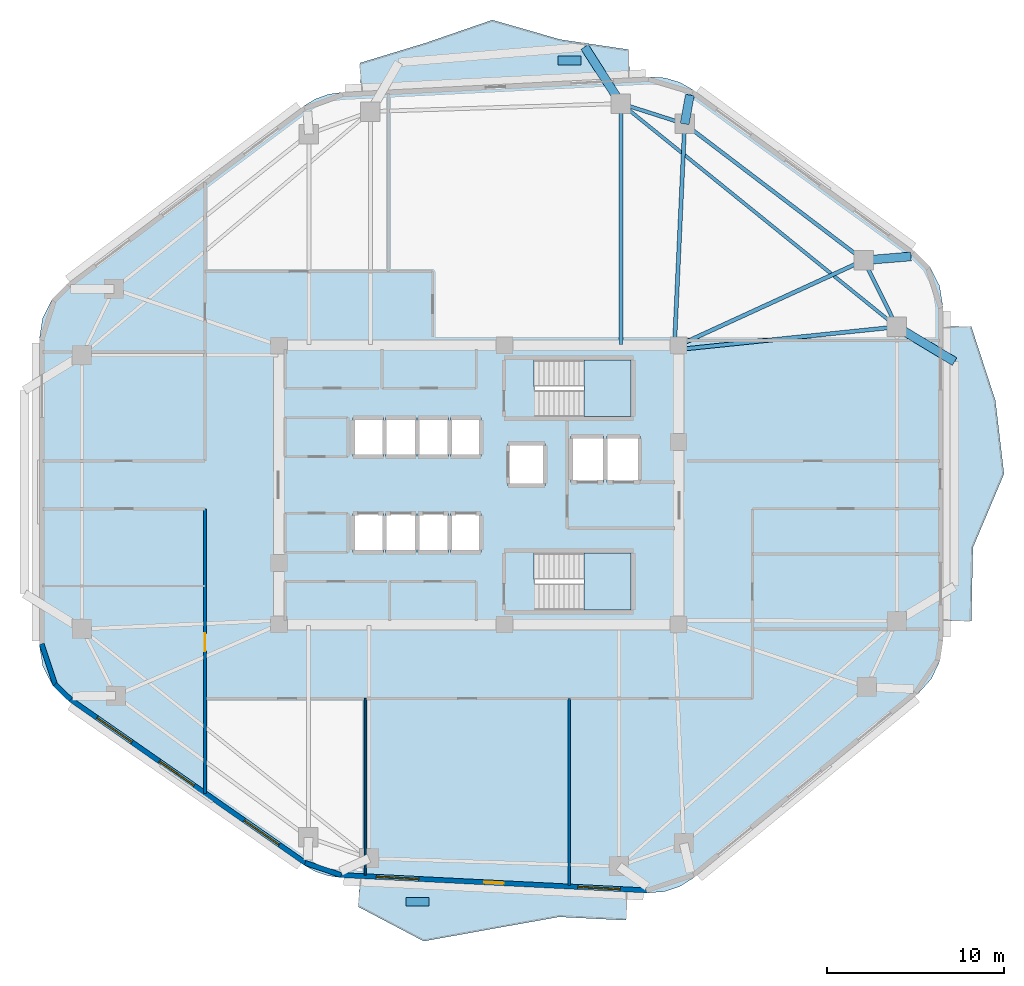
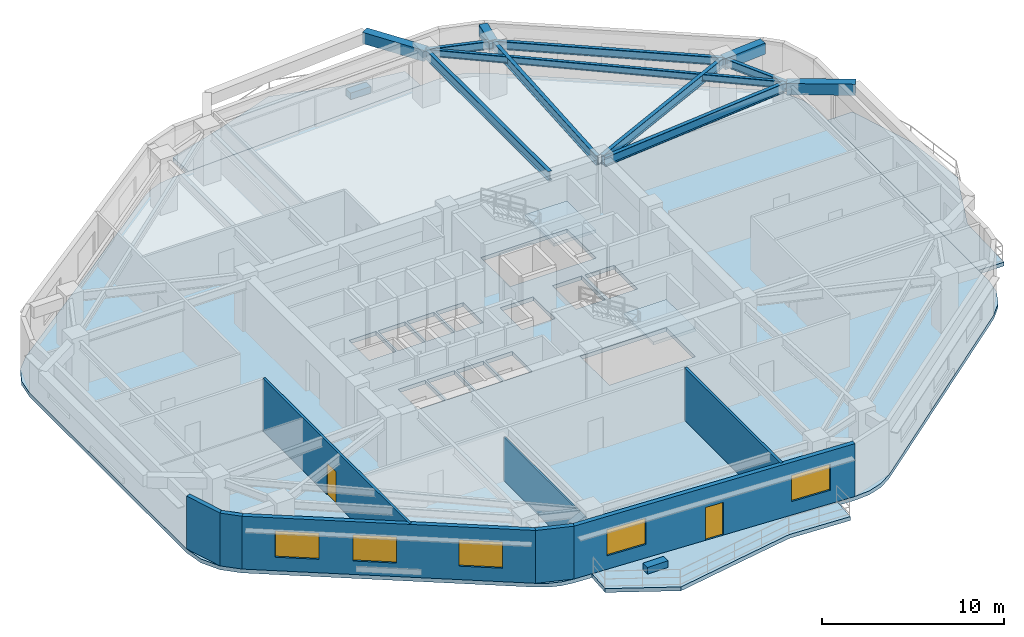
# One storey, part 2 of 8: 12 beams, 8 walls, 6 slabs, 5 windows, 2 doors, 2 plates, 7 openings, 2 elements without a shape of their own.
"""IFC4 building model written with IfcOpenShell, lengths in metres."""

from ifc_helpers import new_model, si_unit, direction, frame, frame_2d, origin, origin_2d, place, context, subcontext, project, spatial, polyline, rectangle, i_section, outline, extrude, material, layer, layer_set, material_profile, profile_set, type_object, element, fill, aggregate, save


model = new_model("IFC4")

# Units and contexts
model_context = context("Model", 3, precision=1e-05, world=origin(), true_north=direction((0.0, 1.0)))
body_context = subcontext(model_context, "Body", "Model", "MODEL_VIEW")
ifc_project = project(units=[si_unit("LENGTHUNIT", "METRE"), si_unit("AREAUNIT", "SQUARE_METRE"), si_unit("VOLUMEUNIT", "CUBIC_METRE"), si_unit("PLANEANGLEUNIT", "RADIAN"), si_unit("MASSUNIT", "GRAM", prefix="KILO")], contexts=[model_context])

# Site, building, storey
site_placement = place(None, origin())
site = spatial("IfcSite", under=ifc_project, at=site_placement, CompositionType="ELEMENT")
building_placement = place(site_placement, origin())
building = spatial("IfcBuilding", under=site, at=building_placement, Name="Zulverin Broadcast Headquarters", CompositionType="ELEMENT")
storey_placement = place(building_placement, frame((0.0, 0.0, 136.39990234375)))
storey = spatial("IfcBuildingStorey", under=building, at=storey_placement, Name="L34", CompositionType="ELEMENT", Elevation=136.39990234375)

# Beams
ifc_material_1 = material(Name="Concrete C40/50", Category="concrete")
ifc_material_profile_1 = material_profile(ifc_material_1, rectangle(XDim=0.5, YDim=0.75, at=origin_2d()), Name="Concrete C40/50", Category="concrete")
ifc_profile_set_1 = profile_set([ifc_material_profile_1], Name="Concrete C40/50")
beam_type_1 = type_object("IfcBeamType", Name="BM-RC-500x750", PredefinedType="BEAM", material=ifc_profile_set_1)
beam_1_placement = place(storey_placement, frame((58.738037109375, 37.877685546875, 3.1650390625), z_axis=(0.996584209885, 0.082582762173, 0.0), x_axis=(-0.082582762173, 0.996584209885, 0.0)))
element("IfcBeam", 1, at=beam_1_placement, inside=storey, type_object=beam_type_1, Name="L35 Plate Overhang Back-Spanned Beam OVR-07", PredefinedType="BEAM", context=body_context, shape_type="SweptSolid", body=[
    extrude(rectangle(XDim=0.5, YDim=0.75, at=origin_2d()), origin(), (0.0, 0.0, 1.0), 2.66357421875),
])
beam_2_placement = place(storey_placement, frame((48.62158203125, 45.574951171875, 3.1650390625), z_axis=(0.176183868408, 0.984357274831, 0.0), x_axis=(-0.984357274831, 0.176183868408, 0.0)))
element("IfcBeam", 2, at=beam_2_placement, inside=storey, type_object=beam_type_1, Name="L35 Plate Overhang Back-Spanned Beam OVR-08", PredefinedType="BEAM", context=body_context, shape_type="SweptSolid", body=[
    extrude(rectangle(XDim=0.5, YDim=0.75, at=origin_2d()), origin(), (0.0, 0.0, 1.0), 1.654541015625),
])
beam_3_placement = place(storey_placement, frame((60.60009765625, 34.12158203125, 3.1650390625), z_axis=(0.856590210266, -0.515997298128, 0.0), x_axis=(0.515997298128, 0.856590210266, 0.0)))
element("IfcBeam", 3, at=beam_3_placement, inside=storey, type_object=beam_type_1, Name="L35 Balcony Column-Framed Cantilever BAL_E-2", PredefinedType="BEAM", context=body_context, shape_type="SweptSolid", body=[
    extrude(rectangle(XDim=0.5, YDim=0.75, at=origin_2d()), origin(), (0.0, 0.0, 1.0), 3.7998046875),
])
beam_4_placement = place(storey_placement, frame((45.027587890625, 46.7236328125, 3.1650390625), z_axis=(-0.539740838151, 0.84183123465, 0.0), x_axis=(-0.84183123465, -0.539740838151, 0.0)))
element("IfcBeam", 4, at=beam_4_placement, inside=storey, type_object=beam_type_1, Name="L35 Balcony Column-Framed Cantilever BAL_N-1", PredefinedType="BEAM", context=body_context, shape_type="SweptSolid", body=[
    extrude(rectangle(XDim=0.5, YDim=0.75, at=origin_2d()), origin(), (0.0, 0.0, 1.0), 3.800048828125),
])
ifc_material_2 = material(Name="Structural steel S355JR", Category="steel")
ifc_material_profile_2 = material_profile(ifc_material_2, i_section(OverallWidth=0.19287109375, OverallDepth=0.46728515625, WebThickness=0.011474609375, FlangeThickness=0.01953125, at=origin_2d()), Name="Structural steel S355JR", Category="steel")
ifc_profile_set_2 = profile_set([ifc_material_profile_2], Name="Structural steel S355JR")
beam_type_2 = type_object("IfcBeamType", Name="BM-UB-457", PredefinedType="JOIST", material=ifc_profile_set_2)
beam_5_placement = place(storey_placement, frame((60.60009765625, 34.12158203125, 3.306396484375), z_axis=(-0.777349017335, 0.629069555175, 0.0), x_axis=(-0.629069555175, -0.777349017335, 0.0)))
element("IfcBeam", 5, at=beam_5_placement, inside=storey, type_object=beam_type_2, Name="L34 Chordal Floor Joist J-02", PredefinedType="JOIST", context=body_context, shape_type="SweptSolid", body=[
    extrude(i_section(OverallWidth=0.19287109375, OverallDepth=0.46728515625, WebThickness=0.011474609375, FlangeThickness=0.01953125, at=origin_2d()), origin(), (0.0, 0.0, 1.0), 20.032958984375),
])
ifc_material_profile_3 = material_profile(ifc_material_2, i_section(OverallWidth=0.2119140625, OverallDepth=0.54443359375, WebThickness=0.0126953125, FlangeThickness=0.021240234375, at=origin_2d()), Name="Structural steel S355JR", Category="steel")
ifc_profile_set_3 = profile_set([ifc_material_profile_3], Name="Structural steel S355JR")
beam_type_3 = type_object("IfcBeamType", Name="BM-UB-533", PredefinedType="SPANDREL", material=ifc_profile_set_3)
beam_6_placement = place(storey_placement, frame((60.60009765625, 34.12158203125, 3.267822265625), z_axis=(-0.444159471033, 0.895947746407, 0.0), x_axis=(-0.895947746407, -0.444159471033, 0.0)))
element("IfcBeam", 6, at=beam_6_placement, inside=storey, type_object=beam_type_3, Name="L34 Perimeter Spandrel Beam SP-06", PredefinedType="SPANDREL", context=body_context, shape_type="SweptSolid", body=[
    extrude(i_section(OverallWidth=0.2119140625, OverallDepth=0.54443359375, WebThickness=0.0126953125, FlangeThickness=0.021240234375, at=origin_2d()), origin(), (0.0, 0.0, 1.0), 4.1923828125),
])
beam_7_placement = place(storey_placement, frame((58.738037109375, 37.877685546875, 3.267822265625), z_axis=(-0.795830102505, 0.60551998146, 0.0), x_axis=(-0.60551998146, -0.795830102505, 0.0)))
element("IfcBeam", 7, at=beam_7_placement, inside=storey, type_object=beam_type_3, Name="L34 Perimeter Spandrel Beam SP-07", PredefinedType="SPANDREL", context=body_context, shape_type="SweptSolid", body=[
    extrude(i_section(OverallWidth=0.2119140625, OverallDepth=0.54443359375, WebThickness=0.0126953125, FlangeThickness=0.021240234375, at=origin_2d()), origin(), (0.0, 0.0, 1.0), 12.7119140625),
])
beam_8_placement = place(storey_placement, frame((48.62158203125, 45.574951171875, 3.267822265625), z_axis=(-0.952531523781, 0.304439971428, 0.0), x_axis=(-0.304439971428, -0.952531523781, 0.0)))
element("IfcBeam", 8, at=beam_8_placement, inside=storey, type_object=beam_type_3, Name="L34 Perimeter Spandrel Beam SP-08", PredefinedType="SPANDREL", context=body_context, shape_type="SweptSolid", body=[
    extrude(i_section(OverallWidth=0.2119140625, OverallDepth=0.54443359375, WebThickness=0.0126953125, FlangeThickness=0.021240234375, at=origin_2d()), origin(), (0.0, 0.0, 1.0), 3.773193359375),
])
ifc_material_profile_4 = material_profile(ifc_material_2, i_section(OverallWidth=0.230224609375, OverallDepth=0.6171875, WebThickness=0.01318359375, FlangeThickness=0.022216796875, at=origin_2d()), Name="Structural steel S355JR", Category="steel")
ifc_profile_set_4 = profile_set([ifc_material_profile_4], Name="Structural steel S355JR")
beam_type_4 = type_object("IfcBeamType", Name="BM-UB-610", PredefinedType="BEAM", material=ifc_profile_set_4)
beam_9_placement = place(storey_placement, frame((48.324951171875, 32.85009765625, 3.2314453125), z_axis=(0.994678169641, 0.103030766473, 0.0), x_axis=(-0.103030766473, 0.994678169641, 0.0)))
element("IfcBeam", 9, at=beam_9_placement, inside=storey, type_object=beam_type_4, Name="L34 Radial Primary Floor Beam RB-06", PredefinedType="BEAM", context=body_context, shape_type="SweptSolid", body=[
    extrude(i_section(OverallWidth=0.230224609375, OverallDepth=0.6171875, WebThickness=0.01318359375, FlangeThickness=0.022216796875, at=origin_2d()), origin(), (0.0, 0.0, 1.0), 12.3408203125),
])
beam_10_placement = place(storey_placement, frame((48.27490234375, 33.074951171875, 3.2314453125), z_axis=(0.90883007293, 0.417166511764, 0.0), x_axis=(-0.417166511764, 0.90883007293, 0.0)))
element("IfcBeam", 10, at=beam_10_placement, inside=storey, type_object=beam_type_4, Name="L34 Radial Primary Floor Beam RB-07", PredefinedType="BEAM", context=body_context, shape_type="SweptSolid", body=[
    extrude(i_section(OverallWidth=0.230224609375, OverallDepth=0.6171875, WebThickness=0.01318359375, FlangeThickness=0.022216796875, at=origin_2d()), origin(), (0.0, 0.0, 1.0), 11.5126953125),
])
beam_11_placement = place(storey_placement, frame((48.050048828125, 33.125, 3.2314453125), z_axis=(0.045858166026, 0.998947960911, 0.0), x_axis=(-0.998947960911, 0.045858166026, 0.0)))
element("IfcBeam", 11, at=beam_11_placement, inside=storey, type_object=beam_type_4, Name="L34 Radial Primary Floor Beam RB-08", PredefinedType="BEAM", context=body_context, shape_type="SweptSolid", body=[
    extrude(i_section(OverallWidth=0.230224609375, OverallDepth=0.6171875, WebThickness=0.01318359375, FlangeThickness=0.022216796875, at=origin_2d()), origin(), (0.0, 0.0, 1.0), 12.463134765625),
])
beam_12_placement = place(storey_placement, frame((45.027587890625, 33.125, 3.2314453125), z_axis=(0.0, 1.0, 0.0), x_axis=(-1.0, 0.0, 0.0)))
element("IfcBeam", 12, at=beam_12_placement, inside=storey, type_object=beam_type_4, Name="L34 Radial Primary Floor Beam RB-09", PredefinedType="BEAM", context=body_context, shape_type="SweptSolid", body=[
    extrude(i_section(OverallWidth=0.230224609375, OverallDepth=0.6171875, WebThickness=0.01318359375, FlangeThickness=0.022216796875, at=origin_2d()), origin(), (0.0, 0.0, 1.0), 13.5986328125),
])

# Plates
ifc_material_3 = material(Name="Precast concrete C45/55", Category="concrete")
ifc_layer_1 = layer(ifc_material_3, 0.449951171875, Name="Precast concrete C45/55", Category="concrete")
ifc_layer_set_1 = layer_set([ifc_layer_1], Name="Precast concrete C45/55")
plate_type = type_object("IfcPlateType", Name="PT-01_PRECAST_GFRC_TREE_PLANTER", PredefinedType="USERDEFINED", material=ifc_layer_set_1)
for number, where, z_axis, x_axis, name in (
    (13, (33.553955078125, 1.673583984375, -0.0048828125), (0.0, 0.0, 1.0), (1.0, 0.0, 0.0), "L34 Precast GFRC Tree Planter BAL_S"),
    (14, (42.133056640625, 49.156982421875, -0.0048828125), (0.0, 0.0, 1.0), (1.0, 0.0, 0.0), "L34 Precast GFRC Tree Planter BAL_N"),
):
    element("IfcPlate", number, at=place(storey_placement, frame(where, z_axis=z_axis, x_axis=x_axis)), inside=storey, type_object=plate_type, Name=name, ObjectType="PLANTER", PredefinedType="USERDEFINED", context=body_context, shape_type="SweptSolid", body=[
        extrude(rectangle(XDim=1.300048828125, YDim=0.5, at=origin_2d()), origin(), (0.0, 0.0, 1.0), 0.449951171875),
    ])

# Slabs
ifc_layer_2 = layer(ifc_material_1, 0.260009765625, Name="Concrete C40/50", Category="concrete")
ifc_layer_set_2 = layer_set([ifc_layer_2], Name="Concrete C40/50")
slab_type_1 = type_object("IfcSlabType", Name="SLB-BAL-260", PredefinedType="FLOOR", material=ifc_layer_set_2)
slab_1_placement = place(storey_placement, frame((0.0, 0.0, -0.260009765625)))
element("IfcSlab", 15, at=slab_1_placement, inside=storey, type_object=slab_type_1, Name="L34 Cantilevered Planted Balcony Slab BAL_E", PredefinedType="FLOOR", context=body_context, shape_type="SweptSolid", body=[
    extrude(outline(polyline([(63.199951171875, 34.1298828125), (63.199951171875, 17.518310546875), (64.800048828125, 17.518310546875), (64.888916015625, 21.671142578125), (66.64404296875, 25.82421875), (66.154296875, 29.97705078125), (64.800048828125, 34.1298828125), (63.199951171875, 34.1298828125)])), origin(), (0.0, 0.0, 1.0), 0.260009765625),
])
slab_2_placement = place(storey_placement, frame((0.0, 0.0, -0.260009765625)))
element("IfcSlab", 16, at=slab_2_placement, inside=storey, type_object=slab_type_1, Name="L34 Cantilevered Planted Balcony Slab BAL_S", PredefinedType="FLOOR", context=body_context, shape_type="SweptSolid", body=[
    extrude(outline(polyline([(45.400390625, 2.230712890625), (30.28662109375, 2.989013671875), (30.206298828125, 1.390869140625), (33.89697265625, -0.55029296875), (37.719482421875, 0.14111328125), (41.541748046875, 0.822265625), (45.320068359375, 0.632568359375), (45.400390625, 2.230712890625)])), origin(), (0.0, 0.0, 1.0), 0.260009765625),
])
slab_3_placement = place(storey_placement, frame((0.0, 0.0, -0.260009765625)))
element("IfcSlab", 17, at=slab_3_placement, inside=storey, type_object=slab_type_1, Name="L34 Cantilevered Planted Balcony Slab BAL_N", PredefinedType="FLOOR", context=body_context, shape_type="SweptSolid", body=[
    extrude(outline(polyline([(30.364013671875, 47.4150390625), (45.526611328125, 48.17578125), (45.4462890625, 49.773681640625), (41.617919921875, 50.33642578125), (37.76220703125, 51.44091796875), (34.02685546875, 50.152099609375), (30.28369140625, 49.012939453125), (30.364013671875, 47.4150390625)])), origin(), (0.0, 0.0, 1.0), 0.260009765625),
])

# Stair, slab
stair_type = type_object("IfcStairType", Name="ST-CORE-1500", PredefinedType="HALF_TURN_STAIR", material=ifc_material_1)
stair_1_placement = place(storey_placement, origin())
stair_1 = element("IfcStair", 18, at=stair_1_placement, inside=storey, type_object=stair_type, Name="L34 Core Exit Stair ST-1", PredefinedType="HALF_TURN_STAIR")
ifc_layer_3 = layer(ifc_material_1, 0.199951171875, Name="Concrete C40/50", Category="concrete")
ifc_layer_set_3 = layer_set([ifc_layer_3], Name="Concrete C40/50")
slab_type_2 = type_object("IfcSlabType", Name="SLB-ST-LND200", PredefinedType="LANDING", material=ifc_layer_set_3)
slab_4_placement = place(storey_placement, frame((0.0, 0.0, 1.7001953125)))
slab_4 = element("IfcSlab", 19, at=slab_4_placement, type_object=slab_type_2, Name="ST-1 landing 1", PredefinedType="LANDING", context=body_context, shape_type="SweptSolid", body=[
    extrude(outline(polyline([(42.929931640625, 29.050048828125), (45.60009765625, 29.050048828125), (45.60009765625, 32.25), (42.929931640625, 32.25), (42.929931640625, 29.050048828125)])), origin(), (0.0, 0.0, 1.0), 0.199951171875),
])
aggregate(stair_1, [slab_4])

stair_2_placement = place(storey_placement, origin())
stair_2 = element("IfcStair", 20, at=stair_2_placement, inside=storey, type_object=stair_type, Name="L34 Core Exit Stair ST-2", PredefinedType="HALF_TURN_STAIR")
slab_5_placement = place(storey_placement, frame((0.0, 0.0, 1.7001953125)))
slab_5 = element("IfcSlab", 21, at=slab_5_placement, type_object=slab_type_2, Name="ST-2 landing 1", PredefinedType="LANDING", context=body_context, shape_type="SweptSolid", body=[
    extrude(outline(polyline([(42.929931640625, 18.14990234375), (45.60009765625, 18.14990234375), (45.60009765625, 21.35009765625), (42.929931640625, 21.35009765625), (42.929931640625, 18.14990234375)])), origin(), (0.0, 0.0, 1.0), 0.199951171875),
])
aggregate(stair_2, [slab_5])

# Slab
ifc_layer_4 = layer(ifc_material_1, 0.260009765625, Name="Concrete C40/50", Category="concrete")
ifc_layer_set_4 = layer_set([ifc_layer_4], Name="Concrete C40/50")
slab_type_3 = type_object("IfcSlabType", Name="SLB-TWR-260", PredefinedType="FLOOR", material=ifc_layer_set_4)
slab_6_placement = place(storey_placement, frame((0.0, 0.0, -0.260009765625)))
element("IfcSlab", 22, at=slab_6_placement, inside=storey, type_object=slab_type_3, Name="L34 Main Structural Floor Slab", PredefinedType="FLOOR", context=body_context, shape_type="SweptSolid", body=[
    extrude(outline(polyline([(27.155029296875, 3.73828125), (27.785400390625, 3.381591796875), (28.470947265625, 3.147216796875), (29.18798828125, 3.0439453125), (46.498779296875, 2.175537109375), (47.45263671875, 2.2451171875), (48.36083984375, 2.544677734375), (49.168701171875, 3.05615234375), (61.7744140625, 13.40380859375), (62.54296875, 14.251708984375), (63.031982421875, 15.286376953125), (63.199951171875, 16.418212890625), (63.199951171875, 35.22998046875), (63.010009765625, 36.4326171875), (62.458251953125, 37.517822265625), (61.598876953125, 38.38037109375), (49.119384765625, 47.486083984375), (48.351806640625, 47.922607421875), (47.506103515625, 48.175048828125), (46.625, 48.230712890625), (29.265380859375, 47.35986328125), (28.502197265625, 47.2451171875), (27.776611328125, 46.982421875), (27.116943359375, 46.581787109375), (13.756103515625, 36.5361328125), (12.919921875, 35.6767578125), (12.384521484375, 34.603759765625), (12.199951171875, 33.4189453125), (12.199951171875, 16.18701171875), (12.399169921875, 14.956787109375), (12.975830078125, 13.852294921875), (13.87158203125, 12.986083984375), (27.155029296875, 3.73828125)]), holes=[polyline([(40.155029296875, 30.75), (40.130126953125, 30.75), (40.130126953125, 32.25), (45.60009765625, 32.25), (45.60009765625, 29.050048828125), (40.155029296875, 29.050048828125), (40.155029296875, 30.75)]), polyline([(40.155029296875, 19.85009765625), (40.130126953125, 19.85009765625), (40.130126953125, 21.35009765625), (45.60009765625, 21.35009765625), (45.60009765625, 18.14990234375), (40.155029296875, 18.14990234375), (40.155029296875, 19.85009765625)]), polyline([(29.89990234375, 21.39990234375), (31.6201171875, 21.39990234375), (31.6201171875, 23.60009765625), (29.89990234375, 23.60009765625), (29.89990234375, 21.39990234375)]), polyline([(31.739990234375, 21.39990234375), (33.4599609375, 21.39990234375), (33.4599609375, 23.60009765625), (31.739990234375, 23.60009765625), (31.739990234375, 21.39990234375)]), polyline([(33.580078125, 21.39990234375), (35.300048828125, 21.39990234375), (35.300048828125, 23.60009765625), (33.580078125, 23.60009765625), (33.580078125, 21.39990234375)]), polyline([(35.419921875, 21.39990234375), (37.139892578125, 21.39990234375), (37.139892578125, 23.60009765625), (35.419921875, 23.60009765625), (35.419921875, 21.39990234375)]), polyline([(29.89990234375, 26.800048828125), (31.6201171875, 26.800048828125), (31.6201171875, 29.0), (29.89990234375, 29.0), (29.89990234375, 26.800048828125)]), polyline([(31.739990234375, 26.800048828125), (33.4599609375, 26.800048828125), (33.4599609375, 29.0), (31.739990234375, 29.0), (31.739990234375, 26.800048828125)]), polyline([(33.580078125, 26.800048828125), (35.300048828125, 26.800048828125), (35.300048828125, 29.0), (33.580078125, 29.0), (33.580078125, 26.800048828125)]), polyline([(35.419921875, 26.800048828125), (37.139892578125, 26.800048828125), (37.139892578125, 29.0), (35.419921875, 29.0), (35.419921875, 26.800048828125)]), polyline([(42.199951171875, 25.35009765625), (44.050048828125, 25.35009765625), (44.050048828125, 27.949951171875), (42.199951171875, 27.949951171875), (42.199951171875, 25.35009765625)]), polyline([(44.25, 25.35009765625), (46.10009765625, 25.35009765625), (46.10009765625, 27.949951171875), (44.25, 27.949951171875), (44.25, 25.35009765625)]), polyline([(38.64990234375, 25.14990234375), (40.75, 25.14990234375), (40.75, 27.550048828125), (38.64990234375, 27.550048828125), (38.64990234375, 25.14990234375)])]), origin(), (0.0, 0.0, 1.0), 0.260009765625),
])

# Wall, openings, door, windows
ifc_material_4 = material(Name="Insulated pale-metal clad concrete spandrel C40/50", Category="concrete")
ifc_layer_5 = layer(ifc_material_4, 0.280029296875, Name="Insulated pale-metal clad concrete spandrel C40/50", Category="concrete")
ifc_layer_set_5 = layer_set([ifc_layer_5], Name="Insulated pale-metal clad concrete spandrel C40/50")
wall_type_1 = type_object("IfcWallType", Name="WL-EXT-280", PredefinedType="STANDARD", material=ifc_layer_set_5)
wall_1_placement = place(storey_placement, frame((29.19482421875, 3.183837890625, 0.0), z_axis=(0.0, 0.0, 1.0), x_axis=(0.998743400978, -0.05011605535, 0.0)))
wall_1 = element("IfcWall", 23, at=wall_1_placement, inside=storey, type_object=wall_type_1, Name="L34 Pale-Metal Clad Spandrel Wall 1", PredefinedType="STANDARD", context=body_context, shape_type="SweptSolid", body=[
    extrude(rectangle(XDim=17.332763671875, YDim=0.280029296875, at=frame_2d((8.66650390625, 0.0))), origin(), (0.0, 0.0, 1.0), 3.5400390625),
])
opening_1_placement = place(wall_1_placement, frame((8.116455078125, 0.0, 0.0)))
opening_1 = element("IfcOpeningElement", 24, at=opening_1_placement, cuts=wall_1, Name="Opening D-L34-TR1", PredefinedType="OPENING", context=body_context, shape_type="SweptSolid", body=[
    extrude(rectangle(XDim=1.10009765625, YDim=2.199951171875, at=frame_2d((0.550048828125, 1.10009765625))), frame((0.0, 0.14990234375, 0.0), z_axis=(0.0, -1.0, 0.0), x_axis=(1.0, 0.0, 0.0)), (0.0, 0.0, 1.0), 0.300048828125),
])
opening_2_placement = place(wall_1_placement, frame((2.022216796875, 0.0, 0.89990234375)))
opening_2 = element("IfcOpeningElement", 25, at=opening_2_placement, cuts=wall_1, Name="Opening W-L34-E11", PredefinedType="OPENING", context=body_context, shape_type="SweptSolid", body=[
    extrude(rectangle(XDim=2.39990234375, YDim=1.75, at=frame_2d((1.199951171875, 0.875))), frame((0.0, 0.14990234375, 0.0), z_axis=(0.0, -1.0, 0.0), x_axis=(1.0, 0.0, 0.0)), (0.0, 0.0, 1.0), 0.300048828125),
])
opening_3_placement = place(wall_1_placement, frame((13.41064453125, 0.0, 0.89990234375)))
opening_3 = element("IfcOpeningElement", 26, at=opening_3_placement, cuts=wall_1, Name="Opening W-L34-E12", PredefinedType="OPENING", context=body_context, shape_type="SweptSolid", body=[
    extrude(rectangle(XDim=2.39990234375, YDim=1.75, at=frame_2d((1.199951171875, 0.875))), frame((0.0, 0.14990234375, 0.0), z_axis=(0.0, -1.0, 0.0), x_axis=(1.0, 0.0, 0.0)), (0.0, 0.0, 1.0), 0.300048828125),
])
ifc_material_5 = material(Name="Thermally broken aluminium glazed", Category="aluminium")
door_type_1 = type_object("IfcDoorType", Name="DR-TERR-1100", OperationType="SINGLE_SWING_RIGHT", PredefinedType="DOOR", material=ifc_material_5)
door_1_placement = place(opening_1_placement, origin())
door_1 = element("IfcDoor", 27, at=door_1_placement, inside=storey, type_object=door_type_1, Name="L34 Planted Terrace Glazed Access Door 1", OperationType="SINGLE_SWING_RIGHT", OverallHeight=2.199951171875, OverallWidth=1.10009765625, PredefinedType="DOOR", context=body_context, shape_type="SweptSolid", body=[
    extrude(rectangle(XDim=1.10009765625, YDim=2.199951171875, at=frame_2d((0.550048828125, 1.10009765625))), frame((0.0, 0.02490234375, 0.0), z_axis=(0.0, -1.0, 0.0), x_axis=(1.0, 0.0, 0.0)), (0.0, 0.0, 1.0), 0.050048828125),
])
fill(opening_1, door_1)
ifc_material_6 = material(Name="Pale anodized aluminium frame with solar-control low-E double glazing", Category="aluminium")
window_type = type_object("IfcWindowType", Name="WIN-RIB-2400", PartitioningType="SINGLE_PANEL", PredefinedType="WINDOW", material=ifc_material_6)
window_1_placement = place(opening_2_placement, origin())
window_1 = element("IfcWindow", 28, at=window_1_placement, inside=storey, type_object=window_type, Name="L34 Ribbon Glazing Window 1 1", OverallHeight=1.75, OverallWidth=2.39990234375, PartitioningType="SINGLE_PANEL", PredefinedType="WINDOW", context=body_context, shape_type="SweptSolid", body=[
    extrude(rectangle(XDim=2.39990234375, YDim=1.75, at=frame_2d((1.199951171875, 0.875))), frame((0.0, 0.030029296875, 0.0), z_axis=(0.0, -1.0, 0.0), x_axis=(1.0, 0.0, 0.0)), (0.0, 0.0, 1.0), 0.06005859375),
])
fill(opening_2, window_1)
window_2_placement = place(opening_3_placement, origin())
window_2 = element("IfcWindow", 29, at=window_2_placement, inside=storey, type_object=window_type, Name="L34 Ribbon Glazing Window 1 2", OverallHeight=1.75, OverallWidth=2.39990234375, PartitioningType="SINGLE_PANEL", PredefinedType="WINDOW", context=body_context, shape_type="SweptSolid", body=[
    extrude(rectangle(XDim=2.39990234375, YDim=1.75, at=frame_2d((1.199951171875, 0.875))), frame((0.0, 0.030029296875, 0.0), z_axis=(0.0, -1.0, 0.0), x_axis=(1.0, 0.0, 0.0)), (0.0, 0.0, 1.0), 0.06005859375),
])
fill(opening_3, window_2)

# Wall, openings, windows
wall_2_placement = place(storey_placement, frame((13.95166015625, 13.10107421875, 0.0), z_axis=(0.0, 0.0, 1.0), x_axis=(0.820698239491, -0.571361881558, 0.0)))
wall_2 = element("IfcWall", 30, at=wall_2_placement, inside=storey, type_object=wall_type_1, Name="L34 Pale-Metal Clad Spandrel Wall 8", PredefinedType="STANDARD", context=body_context, shape_type="SweptSolid", body=[
    extrude(rectangle(XDim=16.185546875, YDim=0.280029296875, at=frame_2d((8.0927734375, 0.0))), origin(), (0.0, 0.0, 1.0), 3.5400390625),
])
opening_4_placement = place(wall_2_placement, frame((1.830810546875, 0.0, 0.89990234375)))
opening_4 = element("IfcOpeningElement", 31, at=opening_4_placement, cuts=wall_2, Name="Opening W-L34-E81", PredefinedType="OPENING", context=body_context, shape_type="SweptSolid", body=[
    extrude(rectangle(XDim=2.39990234375, YDim=1.75, at=frame_2d((1.199951171875, 0.875))), frame((0.0, 0.14990234375, 0.0), z_axis=(0.0, -1.0, 0.0), x_axis=(1.0, 0.0, 0.0)), (0.0, 0.0, 1.0), 0.300048828125),
])
opening_5_placement = place(wall_2_placement, frame((6.11279296875, 0.0, 0.89990234375)))
opening_5 = element("IfcOpeningElement", 32, at=opening_5_placement, cuts=wall_2, Name="Opening W-L34-E82", PredefinedType="OPENING", context=body_context, shape_type="SweptSolid", body=[
    extrude(rectangle(XDim=2.39990234375, YDim=1.75, at=frame_2d((1.199951171875, 0.875))), frame((0.0, 0.14990234375, 0.0), z_axis=(0.0, -1.0, 0.0), x_axis=(1.0, 0.0, 0.0)), (0.0, 0.0, 1.0), 0.300048828125),
])
opening_6_placement = place(wall_2_placement, frame((11.95458984375, 0.0, 0.89990234375)))
opening_6 = element("IfcOpeningElement", 33, at=opening_6_placement, cuts=wall_2, Name="Opening W-L34-E83", PredefinedType="OPENING", context=body_context, shape_type="SweptSolid", body=[
    extrude(rectangle(XDim=2.39990234375, YDim=1.75, at=frame_2d((1.199951171875, 0.875))), frame((0.0, 0.14990234375, 0.0), z_axis=(0.0, -1.0, 0.0), x_axis=(1.0, 0.0, 0.0)), (0.0, 0.0, 1.0), 0.300048828125),
])
window_3_placement = place(opening_4_placement, origin())
window_3 = element("IfcWindow", 34, at=window_3_placement, inside=storey, type_object=window_type, Name="L34 Ribbon Glazing Window 8 1", OverallHeight=1.75, OverallWidth=2.39990234375, PartitioningType="SINGLE_PANEL", PredefinedType="WINDOW", context=body_context, shape_type="SweptSolid", body=[
    extrude(rectangle(XDim=2.39990234375, YDim=1.75, at=frame_2d((1.199951171875, 0.875))), frame((0.0, 0.030029296875, 0.0), z_axis=(0.0, -1.0, 0.0), x_axis=(1.0, 0.0, 0.0)), (0.0, 0.0, 1.0), 0.06005859375),
])
fill(opening_4, window_3)
window_4_placement = place(opening_5_placement, origin())
window_4 = element("IfcWindow", 35, at=window_4_placement, inside=storey, type_object=window_type, Name="L34 Ribbon Glazing Window 8 2", OverallHeight=1.75, OverallWidth=2.39990234375, PartitioningType="SINGLE_PANEL", PredefinedType="WINDOW", context=body_context, shape_type="SweptSolid", body=[
    extrude(rectangle(XDim=2.39990234375, YDim=1.75, at=frame_2d((1.199951171875, 0.875))), frame((0.0, 0.030029296875, 0.0), z_axis=(0.0, -1.0, 0.0), x_axis=(1.0, 0.0, 0.0)), (0.0, 0.0, 1.0), 0.06005859375),
])
fill(opening_5, window_4)
window_5_placement = place(opening_6_placement, origin())
window_5 = element("IfcWindow", 36, at=window_5_placement, inside=storey, type_object=window_type, Name="L34 Ribbon Glazing Window 8 3", OverallHeight=1.75, OverallWidth=2.39990234375, PartitioningType="SINGLE_PANEL", PredefinedType="WINDOW", context=body_context, shape_type="SweptSolid", body=[
    extrude(rectangle(XDim=2.39990234375, YDim=1.75, at=frame_2d((1.199951171875, 0.875))), frame((0.0, 0.030029296875, 0.0), z_axis=(0.0, -1.0, 0.0), x_axis=(1.0, 0.0, 0.0)), (0.0, 0.0, 1.0), 0.06005859375),
])
fill(opening_6, window_5)

# Walls
wall_3_placement = place(storey_placement, frame((12.3330078125, 16.231201171875, 0.0), z_axis=(0.0, 0.0, 1.0), x_axis=(0.315364302967, -0.94897068259, 0.0)))
element("IfcWall", 37, at=wall_3_placement, inside=storey, type_object=wall_type_1, Name="L34 Wind-Shaped Corner Spandrel Wall 7-1", PredefinedType="STANDARD", context=body_context, shape_type="SweptSolid", body=[
    extrude(rectangle(XDim=2.460205078125, YDim=0.280029296875, at=frame_2d((1.22998046875, 0.0))), origin(), (0.0, 0.0, 1.0), 3.5400390625),
])
wall_4_placement = place(storey_placement, frame((13.0732421875, 13.952880859375, 0.0), z_axis=(0.0, 0.0, 1.0), x_axis=(0.718958999036, -0.695052485576, 0.0)))
element("IfcWall", 38, at=wall_4_placement, inside=storey, type_object=wall_type_1, Name="L34 Wind-Shaped Corner Spandrel Wall 7-2", PredefinedType="STANDARD", context=body_context, shape_type="SweptSolid", body=[
    extrude(rectangle(XDim=1.245849609375, YDim=0.280029296875, at=frame_2d((0.623046875, 0.0))), origin(), (0.0, 0.0, 1.0), 3.5400390625),
])
wall_5_placement = place(storey_placement, frame((27.2001953125, 3.870849609375, 0.0), z_axis=(0.0, 0.0, 1.0), x_axis=(0.946327814955, -0.323208395068, 0.0)))
element("IfcWall", 39, at=wall_5_placement, inside=storey, type_object=wall_type_1, Name="L34 Wind-Shaped Corner Spandrel Wall 8-1", PredefinedType="STANDARD", context=body_context, shape_type="SweptSolid", body=[
    extrude(rectangle(XDim=2.148193359375, YDim=0.280029296875, at=frame_2d((1.07421875, 0.0))), origin(), (0.0, 0.0, 1.0), 3.5400390625),
])
ifc_material_7 = material(Name="Fire-rated acoustic laminated glass screen", Category="glass")
ifc_layer_6 = layer(ifc_material_7, 0.10009765625, Name="Fire-rated acoustic laminated glass screen", Category="glass")
ifc_layer_set_6 = layer_set([ifc_layer_6], Name="Fire-rated acoustic laminated glass screen")
wall_type_2 = type_object("IfcWallType", Name="WL-GLAZ-100", PredefinedType="PARTITIONING", material=ifc_layer_set_6)
wall_6_placement = place(storey_placement, frame((30.60009765625, 3.17822265625, 0.0), z_axis=(0.0, 0.0, 1.0), x_axis=(0.0, 1.0, 0.0)))
element("IfcWall", 40, at=wall_6_placement, inside=storey, type_object=wall_type_2, Name="L34 Room Partition Wall RP-05", PredefinedType="PARTITIONING", context=body_context, shape_type="SweptSolid", body=[
    extrude(rectangle(XDim=9.9716796875, YDim=0.10009765625, at=frame_2d((4.98583984375, 0.0))), origin(), (0.0, 0.0, 1.0), 2.9228515625),
])
ifc_material_8 = material(Name="Fire-rated gypsum stud partition", Category="gypsum")
ifc_layer_7 = layer(ifc_material_8, 0.14990234375, Name="Fire-rated gypsum stud partition", Category="gypsum")
ifc_layer_set_7 = layer_set([ifc_layer_7], Name="Fire-rated gypsum stud partition")
wall_type_3 = type_object("IfcWallType", Name="WL-PART-150", PredefinedType="PARTITIONING", material=ifc_layer_set_7)
wall_7_placement = place(storey_placement, frame((42.10009765625, 2.601318359375, 0.0), z_axis=(0.0, 0.0, 1.0), x_axis=(0.0, 1.0, 0.0)))
element("IfcWall", 41, at=wall_7_placement, inside=storey, type_object=wall_type_3, Name="L34 Room Partition Wall RP-02", PredefinedType="PARTITIONING", context=body_context, shape_type="SweptSolid", body=[
    extrude(rectangle(XDim=10.548583984375, YDim=0.14990234375, at=frame_2d((5.2744140625, 0.0))), origin(), (0.0, 0.0, 1.0), 3.5400390625),
])

# Wall, opening, door
wall_8_placement = place(storey_placement, frame((21.550048828125, 7.780517578125, 0.0), z_axis=(0.0, 0.0, 1.0), x_axis=(0.0, 1.0, 0.0)))
wall_8 = element("IfcWall", 42, at=wall_8_placement, inside=storey, type_object=wall_type_3, Name="L34 Gallery Partition Wall CG-06", PredefinedType="PARTITIONING", context=body_context, shape_type="SweptSolid", body=[
    extrude(rectangle(XDim=16.069580078125, YDim=0.14990234375, at=frame_2d((8.03466796875, 0.0))), origin(), (0.0, 0.0, 1.0), 3.5400390625),
])
opening_7_placement = place(wall_8_placement, frame((8.04443359375, 0.0, 0.0)))
opening_7 = element("IfcOpeningElement", 43, at=opening_7_placement, cuts=wall_8, Name="Opening D-L34-06", PredefinedType="OPENING", context=body_context, shape_type="SweptSolid", body=[
    extrude(rectangle(XDim=1.0, YDim=2.1201171875, at=frame_2d((0.5, 1.06005859375))), frame((0.0, 0.0849609375, 0.0), z_axis=(0.0, -1.0, 0.0), x_axis=(1.0, 0.0, 0.0)), (0.0, 0.0, 1.0), 0.169921875),
])
ifc_material_9 = material(Name="Hardwood veneer acoustic leaf", Category="wood")
door_type_2 = type_object("IfcDoorType", Name="DR-OFF-1000", OperationType="SINGLE_SWING_LEFT", PredefinedType="DOOR", material=ifc_material_9)
door_2_placement = place(opening_7_placement, origin())
door_2 = element("IfcDoor", 44, at=door_2_placement, inside=storey, type_object=door_type_2, Name="L34 Legal Office Door", OperationType="SINGLE_SWING_RIGHT", OverallHeight=2.1201171875, OverallWidth=1.0, PredefinedType="DOOR", context=body_context, shape_type="SweptSolid", body=[
    extrude(rectangle(XDim=1.0, YDim=2.1201171875, at=frame_2d((0.5, 1.06005859375))), frame((0.0, 0.02490234375, 0.0), z_axis=(0.0, -1.0, 0.0), x_axis=(1.0, 0.0, 0.0)), (0.0, 0.0, 1.0), 0.050048828125),
])
fill(opening_7, door_2)

save(model, "model.ifc")
